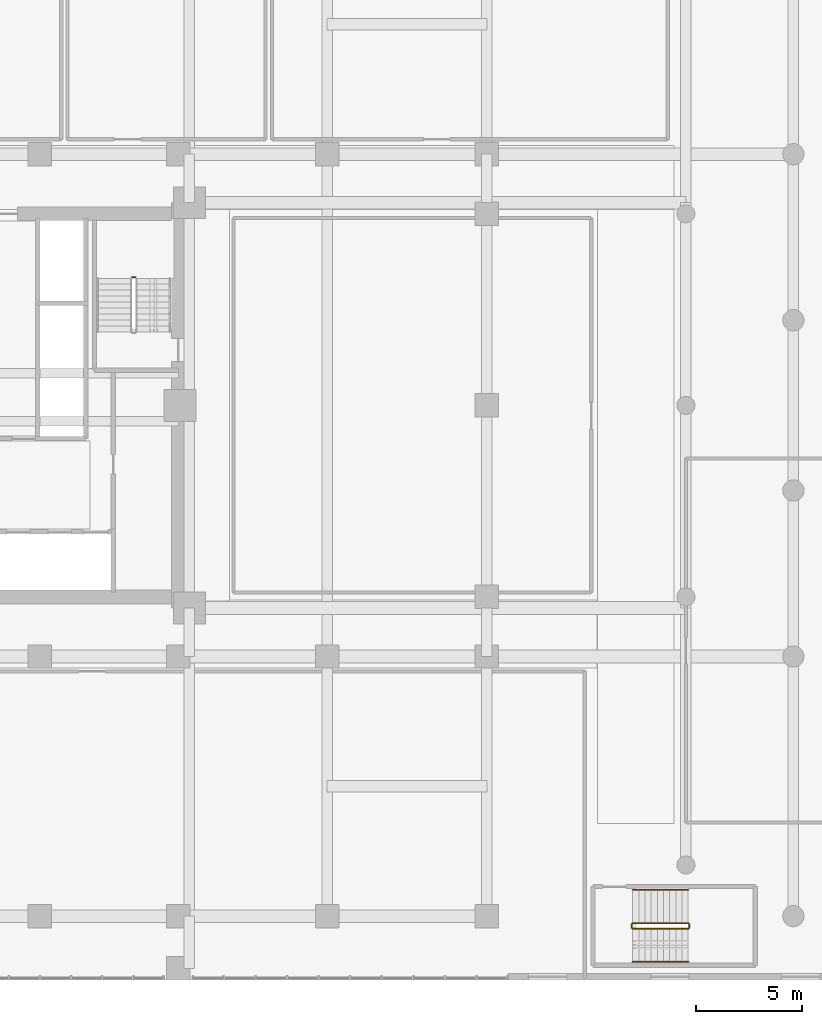
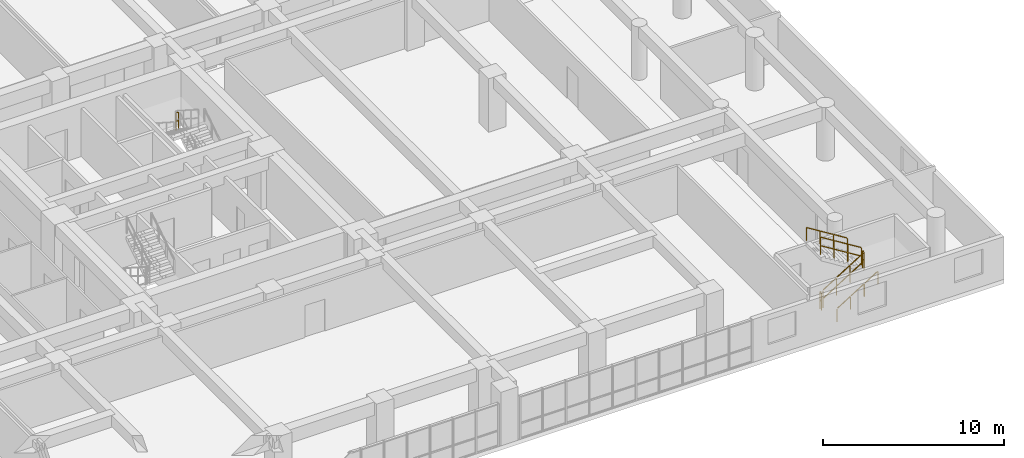
# One storey, part 29 of 30: 7 railings.
"""IFC4 building model written with IfcOpenShell, lengths in metres."""

import ifcopenshell
import ifcopenshell.guid

model = None  # the IFC model being written
_history = None  # IfcOwnerHistory: only IFC2X3 demands one
_inside = {}  # id of a spatial element -> (the spatial element, [elements in it])
_under = {}  # id of a project, library or spatial element -> (it, [spatial elements below it])
_declared = {}  # id of a project -> (the project, [libraries it declares])
_typed = {}  # id of a type object -> (the type object, [elements of that type])
_made_of = {}  # id of a material, layer set ... -> (it, [elements and type objects made of it])


def new_model(schema):
    """Start an empty IFC model of exactly this schema.

    Asked for "IFC4X3", IfcOpenShell would pick the latest addendum, in which some entities
    have other attributes; the version numbers below select the first issue.
    IFC2X3 requires an IfcOwnerHistory on every rooted entity: one is made here for all.
    """
    global model, _history
    if schema == "IFC4X3":
        model = ifcopenshell.file(schema_version=(4, 3, 0, 0))
    else:
        model = ifcopenshell.file(schema=schema)
    _inside.clear()
    _under.clear()
    _declared.clear()
    _typed.clear()
    _made_of.clear()
    _history = None
    if model.schema == "IFC2X3":
        org = make("IfcOrganization", Name="unknown")
        user = make(
            "IfcPersonAndOrganization",
            ThePerson=make("IfcPerson", FamilyName="unknown"),
            TheOrganization=org,
        )
        app = make(
            "IfcApplication",
            ApplicationDeveloper=org,
            Version="unknown",
            ApplicationFullName="unknown",
            ApplicationIdentifier="unknown",
        )
        _history = make(
            "IfcOwnerHistory",
            OwningUser=user,
            OwningApplication=app,
            ChangeAction="ADDED",
            CreationDate=0,
        )
    return model


def make(cls, **values):
    """One entity of the class cls with the attributes given. An attribute that is None is left unset."""
    return model.create_entity(
        cls, **{name: value for name, value in values.items() if value is not None}
    )


def rooted(cls, **values):
    """An entity with a GlobalId (a new one), such as an element, a storey or a relation."""
    return make(cls, GlobalId=ifcopenshell.guid.new(), OwnerHistory=_history, **values)


def si_unit(unit_type, name, prefix=None):
    """IfcSIUnit, for example si_unit("LENGTHUNIT", "METRE", prefix="MILLI")."""
    return make("IfcSIUnit", UnitType=unit_type, Prefix=prefix, Name=name)


def assignment(units):
    """IfcUnitAssignment: the units of a project."""
    return None if units is None else make("IfcUnitAssignment", Units=units)


def point(xyz):
    """IfcCartesianPoint."""
    return None if xyz is None else make("IfcCartesianPoint", Coordinates=xyz)


def direction(xyz):
    """IfcDirection."""
    return None if xyz is None else make("IfcDirection", DirectionRatios=xyz)


def frame(location, z_axis=None, x_axis=None):
    """IfcAxis2Placement3D, a coordinate frame: its origin and axes. An axis left out is left unset."""
    return make(
        "IfcAxis2Placement3D",
        Location=point(location),
        Axis=direction(z_axis),
        RefDirection=direction(x_axis),
    )


def frame_2d(location, x_axis=None):
    """IfcAxis2Placement2D, a coordinate frame in the plane: its origin and x axis."""
    return make(
        "IfcAxis2Placement2D", Location=point(location), RefDirection=direction(x_axis)
    )


def origin():
    """The frame at (0, 0, 0) with its axes left unset."""
    return frame((0.0, 0.0, 0.0))


def origin_2d():
    """The frame at (0, 0) in the plane with its x axis left unset."""
    return frame_2d((0.0, 0.0))


def place(relative_to, where):
    """IfcLocalPlacement: puts the frame where relative to a parent placement (None: the world)."""
    return make(
        "IfcLocalPlacement", PlacementRelTo=relative_to, RelativePlacement=where
    )


def context(
    kind, dimensions, precision=None, world=None, true_north=None, identifier=None
):
    """IfcGeometricRepresentationContext, for example the 3D "Model" context."""
    return make(
        "IfcGeometricRepresentationContext",
        ContextIdentifier=identifier,
        ContextType=kind,
        CoordinateSpaceDimension=dimensions,
        Precision=precision,
        WorldCoordinateSystem=world,
        TrueNorth=true_north,
    )


def subcontext(parent, identifier, kind, view, scale=None):
    """IfcGeometricRepresentationSubContext, for example "Body" below "Model"."""
    return make(
        "IfcGeometricRepresentationSubContext",
        ContextIdentifier=identifier,
        ContextType=kind,
        ParentContext=parent,
        TargetScale=scale,
        TargetView=view,
    )


def project(units=None, contexts=None):
    """IfcProject with its units and contexts."""
    return rooted(
        "IfcProject",
        Name="project",
        RepresentationContexts=contexts,
        UnitsInContext=assignment(units),
    )


def spatial(cls, under=None, at=None, **own):
    """A site, building, storey or space (cls), placed at a placement, below another one or the project."""
    s = rooted(cls, ObjectPlacement=at, **own)
    if under is not None:
        _under.setdefault(under.id(), (under, []))[1].append(s)
    return s


def profile(cls, at=None, kind="AREA", **sizes):
    """A parametric profile (cls). Its sizes go by their IFC names, for example OverallWidth=200.0."""
    return make(cls, ProfileType=kind, Position=at, **sizes)


def rectangle(**sizes):
    """IfcRectangleProfileDef."""
    return profile("IfcRectangleProfileDef", **sizes)


def extrude(swept, where, along, depth):
    """IfcExtrudedAreaSolid: the profile swept, set in the frame where, extruded along a direction by depth."""
    return make(
        "IfcExtrudedAreaSolid",
        SweptArea=swept,
        Position=where,
        ExtrudedDirection=direction(along),
        Depth=depth,
    )


def shape(context_of_items, identifier, shape_type, items):
    """IfcShapeRepresentation: the items that make up one representation, for example the "Body"."""
    return make(
        "IfcShapeRepresentation",
        ContextOfItems=context_of_items,
        RepresentationIdentifier=identifier,
        RepresentationType=shape_type,
        Items=items,
    )


def material(Name=None, Category=None):
    """IfcMaterial."""
    return make("IfcMaterial", Name=Name, Category=Category)


def made_of(thing, what):
    """Note that an element or type object is made of a material, layer set ...; save() writes the relation."""
    if what is not None:
        _made_of.setdefault(what.id(), (what, []))[1].append(thing)
    return thing


def type_object(cls, material=None, **own):
    """A type object (cls), such as IfcWallType, which elements share."""
    return made_of(rooted(cls, **own), material)


def element(
    cls,
    number,
    at=None,
    inside=None,
    cuts=None,
    type_object=None,
    material=None,
    context=None,
    identifier="Body",
    shape_type=None,
    held_by="IfcProductDefinitionShape",
    body=None,
    shapes=None,
    **own,
):
    """One element of the class cls, such as IfcWall. Its Tag is "e" and its number.

    at: its placement. inside: the storey or other place that contains it. cuts: it is an
    opening in that element (IfcRelVoidsElement). A single representation is given by context,
    identifier, shape_type and body (its items); several are given by shapes. held_by: the class
    of the entity that holds the representations. save() writes the other relations.
    """
    e = rooted(cls, Tag="e%d" % number, ObjectPlacement=at, **own)
    if body is not None:
        shapes = [shape(context, identifier, shape_type, body)]
    if shapes is not None:
        e.Representation = make(held_by, Representations=shapes)
    if inside is not None:
        _inside.setdefault(inside.id(), (inside, []))[1].append(e)
    if cuts is not None:
        rooted(
            "IfcRelVoidsElement", RelatingBuildingElement=cuts, RelatedOpeningElement=e
        )
    if type_object is not None:
        _typed.setdefault(type_object.id(), (type_object, []))[1].append(e)
    return made_of(e, material)


def aggregate(whole, parts):
    """IfcRelAggregates: a whole, such as a stair, and the parts it consists of."""
    return rooted("IfcRelAggregates", RelatingObject=whole, RelatedObjects=parts)


def save(model, path):
    """Write the relations noted so far, then the file.

    IfcRelAggregates (storeys below a building ...), IfcRelContainedInSpatialStructure (elements
    in a storey), IfcRelDefinesByType, IfcRelAssociatesMaterial and IfcRelDeclares: one each for
    every whole, place, type object, material and project.
    """
    for whole, parts in _under.values():
        aggregate(whole, parts)
    for where, things in _inside.values():
        rooted(
            "IfcRelContainedInSpatialStructure",
            RelatedElements=things,
            RelatingStructure=where,
        )
    for kind, things in _typed.values():
        rooted("IfcRelDefinesByType", RelatedObjects=things, RelatingType=kind)
    for what, things in _made_of.values():
        rooted("IfcRelAssociatesMaterial", RelatedObjects=things, RelatingMaterial=what)
    for by, libraries in _declared.values():
        rooted("IfcRelDeclares", RelatingContext=by, RelatedDefinitions=libraries)
    model.write(path)


model = new_model("IFC4")

# Units and contexts
model_context = context("Model", 3, precision=1e-05, world=origin(), true_north=direction((0.0, 1.0)))
body_context = subcontext(model_context, "Body", "Model", "MODEL_VIEW")
ifc_project = project(units=[si_unit("LENGTHUNIT", "METRE"), si_unit("AREAUNIT", "SQUARE_METRE"), si_unit("VOLUMEUNIT", "CUBIC_METRE"), si_unit("PLANEANGLEUNIT", "RADIAN"), si_unit("MASSUNIT", "GRAM", prefix="KILO")], contexts=[model_context])

# Site, building, storey
site_placement = place(None, origin())
site = spatial("IfcSite", under=ifc_project, at=site_placement, CompositionType="ELEMENT")
building_placement = place(site_placement, origin())
building = spatial("IfcBuilding", under=site, at=building_placement, Name="Saelheon Loggia Tower", CompositionType="ELEMENT")
storey_placement = place(building_placement, frame((0.0, 0.0, 11.39990234375)))
storey = spatial("IfcBuildingStorey", under=building, at=storey_placement, Name="L03", CompositionType="ELEMENT", Elevation=11.39990234375)

# Railings
ifc_material_1 = material(Name="Galvanised Steel S275 Stairwell Guardrail", Category="steel")
railing_type_1 = type_object("IfcRailingType", Name="Guard_StairWell_RL_STG", PredefinedType="GUARDRAIL", material=ifc_material_1)
railing_1_placement = place(storey_placement, frame((42.489990234375, 33.02001953125, 1.800048828125)))
element("IfcRailing", 1, at=railing_1_placement, inside=storey, type_object=railing_type_1, Name="L03 ST2 stair guard 2", PredefinedType="GUARDRAIL", context=body_context, shape_type="SweptSolid", body=[
    extrude(rectangle(XDim=0.048095703125, YDim=0.048095703125, at=origin_2d()), frame((-0.033203125, 0.0, 1.17578125), z_axis=(-1.0, 0.0, 0.0), x_axis=(0.0, -1.0, 0.0)), (0.0, 0.0, 1.0), 0.093505859375),
    extrude(rectangle(XDim=0.048095703125, YDim=0.048095703125, at=origin_2d()), frame((-0.033203125, 0.0, 0.60009765625), z_axis=(-1.0, 0.0, 0.0), x_axis=(0.0, -1.0, 0.0)), (0.0, 0.0, 1.0), 0.093505859375),
    extrude(rectangle(XDim=0.0419921875, YDim=0.0419921875, at=origin_2d()), origin(), (0.0, 0.0, 1.0), 1.14794921875),
    extrude(rectangle(XDim=0.0419921875, YDim=0.0419921875, at=origin_2d()), frame((-0.159912109375, 0.0, 0.0)), (0.0, 0.0, 1.0), 1.14794921875),
])
railing_2_placement = place(storey_placement, frame((65.85009765625, 2.409912109375, 0.18017578125)))
element("IfcRailing", 2, at=railing_2_placement, inside=storey, type_object=railing_type_1, Name="L03 ST4 stair guard 1", PredefinedType="GUARDRAIL", context=body_context, shape_type="SweptSolid", body=[
    extrude(rectangle(XDim=0.048095703125, YDim=0.048095703125, at=origin_2d()), frame((0.0283203125, 0.0, 1.193359375), z_axis=(0.849646306263, 0.0, 0.527352969322), x_axis=(0.0, 1.0, 0.0)), (0.0, 0.0, 1.0), 0.95751953125),
    extrude(rectangle(XDim=0.048095703125, YDim=0.048095703125, at=origin_2d()), frame((0.0283203125, 0.0, 0.617431640625), z_axis=(0.849646306263, 0.0, 0.527352969322), x_axis=(0.0, 1.0, 0.0)), (0.0, 0.0, 1.0), 0.95751953125),
    extrude(rectangle(XDim=0.048095703125, YDim=0.048095703125, at=origin_2d()), frame((0.898193359375, 0.0, 1.7333984375), z_axis=(0.849646306263, 0.0, 0.527352969322), x_axis=(0.0, 1.0, 0.0)), (0.0, 0.0, 1.0), 0.95751953125),
    extrude(rectangle(XDim=0.048095703125, YDim=0.048095703125, at=origin_2d()), frame((0.898193359375, 0.0, 1.157470703125), z_axis=(0.849646306263, 0.0, 0.527352969322), x_axis=(0.0, 1.0, 0.0)), (0.0, 0.0, 1.0), 0.95751953125),
    extrude(rectangle(XDim=0.048095703125, YDim=0.048095703125, at=origin_2d()), frame((1.76806640625, 0.0, 2.2734375), z_axis=(0.849646306263, 0.0, 0.527352969322), x_axis=(0.0, 1.0, 0.0)), (0.0, 0.0, 1.0), 0.95751953125),
    extrude(rectangle(XDim=0.048095703125, YDim=0.048095703125, at=origin_2d()), frame((1.76806640625, 0.0, 1.697509765625), z_axis=(0.849646306263, 0.0, 0.527352969322), x_axis=(0.0, 1.0, 0.0)), (0.0, 0.0, 1.0), 0.95751953125),
    extrude(rectangle(XDim=0.0419921875, YDim=0.0419921875, at=origin_2d()), origin(), (0.0, 0.0, 1.0), 1.14794921875),
    extrude(rectangle(XDim=0.0419921875, YDim=0.0419921875, at=origin_2d()), frame((0.869873046875, 0.0, 0.5400390625)), (0.0, 0.0, 1.0), 1.14794921875),
    extrude(rectangle(XDim=0.0419921875, YDim=0.0419921875, at=origin_2d()), frame((1.739990234375, 0.0, 1.079833984375)), (0.0, 0.0, 1.0), 1.14794921875),
    extrude(rectangle(XDim=0.0419921875, YDim=0.0419921875, at=origin_2d()), frame((2.60986328125, 0.0, 1.619873046875)), (0.0, 0.0, 1.0), 1.14794921875),
])
railing_3_placement = place(storey_placement, frame((68.510009765625, 2.4599609375, 1.800048828125)))
element("IfcRailing", 3, at=railing_3_placement, inside=storey, type_object=railing_type_1, Name="L03 ST4 stair guard 2", PredefinedType="GUARDRAIL", context=body_context, shape_type="SweptSolid", body=[
    extrude(rectangle(XDim=0.048095703125, YDim=0.048095703125, at=origin_2d()), frame((0.0, 0.033203125, 1.17578125), z_axis=(0.0, 1.0, 0.0), x_axis=(-1.0, 0.0, 0.0)), (0.0, 0.0, 1.0), 0.09375),
    extrude(rectangle(XDim=0.048095703125, YDim=0.048095703125, at=origin_2d()), frame((0.0, 0.033203125, 0.60009765625), z_axis=(0.0, 1.0, 0.0), x_axis=(-1.0, 0.0, 0.0)), (0.0, 0.0, 1.0), 0.09375),
    extrude(rectangle(XDim=0.0419921875, YDim=0.0419921875, at=origin_2d()), origin(), (0.0, 0.0, 1.0), 1.14794921875),
    extrude(rectangle(XDim=0.0419921875, YDim=0.0419921875, at=origin_2d()), frame((0.0, 0.16015625, 0.0)), (0.0, 0.0, 1.0), 1.14794921875),
])
railing_4_placement = place(storey_placement, frame((68.4599609375, 2.669921875, 1.97998046875)))
element("IfcRailing", 4, at=railing_4_placement, inside=storey, type_object=railing_type_1, Name="L03 ST4 stair guard 3", PredefinedType="GUARDRAIL", context=body_context, shape_type="SweptSolid", body=[
    extrude(rectangle(XDim=0.048095703125, YDim=0.048095703125, at=origin_2d()), frame((-0.0283203125, 0.0, 1.193359375), z_axis=(-0.849610693518, 0.0, 0.52741034258), x_axis=(0.0, -1.0, 0.0)), (0.0, 0.0, 1.0), 0.95751953125),
    extrude(rectangle(XDim=0.048095703125, YDim=0.048095703125, at=origin_2d()), frame((-0.0283203125, 0.0, 0.617431640625), z_axis=(-0.849610693518, 0.0, 0.52741034258), x_axis=(0.0, -1.0, 0.0)), (0.0, 0.0, 1.0), 0.95751953125),
    extrude(rectangle(XDim=0.048095703125, YDim=0.048095703125, at=origin_2d()), frame((-0.898193359375, 0.0, 1.7333984375), z_axis=(-0.849610693518, 0.0, 0.52741034258), x_axis=(0.0, -1.0, 0.0)), (0.0, 0.0, 1.0), 0.95751953125),
    extrude(rectangle(XDim=0.048095703125, YDim=0.048095703125, at=origin_2d()), frame((-0.898193359375, 0.0, 1.157470703125), z_axis=(-0.849610693518, 0.0, 0.52741034258), x_axis=(0.0, -1.0, 0.0)), (0.0, 0.0, 1.0), 0.95751953125),
    extrude(rectangle(XDim=0.048095703125, YDim=0.048095703125, at=origin_2d()), frame((-1.76806640625, 0.0, 2.2734375), z_axis=(-0.849610693518, 0.0, 0.52741034258), x_axis=(0.0, -1.0, 0.0)), (0.0, 0.0, 1.0), 0.95751953125),
    extrude(rectangle(XDim=0.048095703125, YDim=0.048095703125, at=origin_2d()), frame((-1.76806640625, 0.0, 1.697509765625), z_axis=(-0.849610693518, 0.0, 0.52741034258), x_axis=(0.0, -1.0, 0.0)), (0.0, 0.0, 1.0), 0.95751953125),
    extrude(rectangle(XDim=0.0419921875, YDim=0.0419921875, at=origin_2d()), origin(), (0.0, 0.0, 1.0), 1.14794921875),
    extrude(rectangle(XDim=0.0419921875, YDim=0.0419921875, at=origin_2d()), frame((-0.869873046875, 0.0, 0.5400390625)), (0.0, 0.0, 1.0), 1.14794921875),
    extrude(rectangle(XDim=0.0419921875, YDim=0.0419921875, at=origin_2d()), frame((-1.739990234375, 0.0, 1.080078125)), (0.0, 0.0, 1.0), 1.14794921875),
    extrude(rectangle(XDim=0.0419921875, YDim=0.0419921875, at=origin_2d()), frame((-2.60986328125, 0.0, 1.6201171875)), (0.0, 0.0, 1.0), 1.14794921875),
])
railing_5_placement = place(storey_placement, frame((65.800048828125, 2.4599609375, 0.0)))
element("IfcRailing", 5, at=railing_5_placement, inside=storey, type_object=railing_type_1, Name="L03 ST4 stair guard 4", PredefinedType="GUARDRAIL", context=body_context, shape_type="SweptSolid", body=[
    extrude(rectangle(XDim=0.048095703125, YDim=0.048095703125, at=origin_2d()), frame((0.0, 0.033203125, 1.17578125), z_axis=(0.0, 1.0, 0.0), x_axis=(-1.0, 0.0, 0.0)), (0.0, 0.0, 1.0), 0.09375),
    extrude(rectangle(XDim=0.048095703125, YDim=0.048095703125, at=origin_2d()), frame((0.0, 0.033203125, 0.60009765625), z_axis=(0.0, 1.0, 0.0), x_axis=(-1.0, 0.0, 0.0)), (0.0, 0.0, 1.0), 0.09375),
    extrude(rectangle(XDim=0.0419921875, YDim=0.0419921875, at=origin_2d()), origin(), (0.0, 0.0, 1.0), 1.14794921875),
    extrude(rectangle(XDim=0.0419921875, YDim=0.0419921875, at=origin_2d()), frame((0.0, 0.16015625, 0.0)), (0.0, 0.0, 1.0), 1.14794921875),
])
ifc_material_2 = material(Name="Stainless Steel 304 Tubular Handrail", Category="steel")
railing_type_2 = type_object("IfcRailingType", Name="Handrail_Stair_RL_HR1", PredefinedType="HANDRAIL", material=ifc_material_2)
railing_6_placement = place(storey_placement, frame((65.85009765625, 0.85009765625, 0.18017578125)))
element("IfcRailing", 6, at=railing_6_placement, inside=storey, type_object=railing_type_2, Name="L03 ST4 stair handrail 1", PredefinedType="HANDRAIL", context=body_context, shape_type="SweptSolid", body=[
    extrude(rectangle(XDim=0.048095703125, YDim=0.048095703125, at=origin_2d()), frame((0.0283203125, 0.0, 0.893310546875), z_axis=(0.849646306263, 0.0, 0.527352969322), x_axis=(0.0, 1.0, 0.0)), (0.0, 0.0, 1.0), 0.95751953125),
    extrude(rectangle(XDim=0.048095703125, YDim=0.048095703125, at=origin_2d()), frame((0.898193359375, 0.0, 1.433349609375), z_axis=(0.849646306263, 0.0, 0.527352969322), x_axis=(0.0, 1.0, 0.0)), (0.0, 0.0, 1.0), 0.95751953125),
    extrude(rectangle(XDim=0.048095703125, YDim=0.048095703125, at=origin_2d()), frame((1.76806640625, 0.0, 1.973388671875), z_axis=(0.849646306263, 0.0, 0.527352969322), x_axis=(0.0, 1.0, 0.0)), (0.0, 0.0, 1.0), 0.95751953125),
    extrude(rectangle(XDim=0.0419921875, YDim=0.0419921875, at=origin_2d()), origin(), (0.0, 0.0, 1.0), 0.847900390625),
    extrude(rectangle(XDim=0.0419921875, YDim=0.0419921875, at=origin_2d()), frame((0.869873046875, 0.0, 0.5400390625)), (0.0, 0.0, 1.0), 0.847900390625),
    extrude(rectangle(XDim=0.0419921875, YDim=0.0419921875, at=origin_2d()), frame((1.739990234375, 0.0, 1.079833984375)), (0.0, 0.0, 1.0), 0.847900390625),
    extrude(rectangle(XDim=0.0419921875, YDim=0.0419921875, at=origin_2d()), frame((2.60986328125, 0.0, 1.619873046875)), (0.0, 0.0, 1.0), 0.847900390625),
])
railing_7_placement = place(storey_placement, frame((68.4599609375, 4.22998046875, 1.97998046875)))
element("IfcRailing", 7, at=railing_7_placement, inside=storey, type_object=railing_type_2, Name="L03 ST4 stair handrail 2", PredefinedType="HANDRAIL", context=body_context, shape_type="SweptSolid", body=[
    extrude(rectangle(XDim=0.048095703125, YDim=0.048095703125, at=origin_2d()), frame((-0.0283203125, 0.0, 0.893310546875), z_axis=(-0.849610693518, 0.0, 0.52741034258), x_axis=(0.0, -1.0, 0.0)), (0.0, 0.0, 1.0), 0.95751953125),
    extrude(rectangle(XDim=0.048095703125, YDim=0.048095703125, at=origin_2d()), frame((-0.898193359375, 0.0, 1.433349609375), z_axis=(-0.849610693518, 0.0, 0.52741034258), x_axis=(0.0, -1.0, 0.0)), (0.0, 0.0, 1.0), 0.95751953125),
    extrude(rectangle(XDim=0.048095703125, YDim=0.048095703125, at=origin_2d()), frame((-1.76806640625, 0.0, 1.973388671875), z_axis=(-0.849610693518, 0.0, 0.52741034258), x_axis=(0.0, -1.0, 0.0)), (0.0, 0.0, 1.0), 0.95751953125),
    extrude(rectangle(XDim=0.0419921875, YDim=0.0419921875, at=origin_2d()), origin(), (0.0, 0.0, 1.0), 0.847900390625),
    extrude(rectangle(XDim=0.0419921875, YDim=0.0419921875, at=origin_2d()), frame((-0.869873046875, 0.0, 0.5400390625)), (0.0, 0.0, 1.0), 0.847900390625),
    extrude(rectangle(XDim=0.0419921875, YDim=0.0419921875, at=origin_2d()), frame((-1.739990234375, 0.0, 1.080078125)), (0.0, 0.0, 1.0), 0.847900390625),
    extrude(rectangle(XDim=0.0419921875, YDim=0.0419921875, at=origin_2d()), frame((-2.60986328125, 0.0, 1.6201171875)), (0.0, 0.0, 1.0), 0.847900390625),
])

save(model, "model.ifc")
